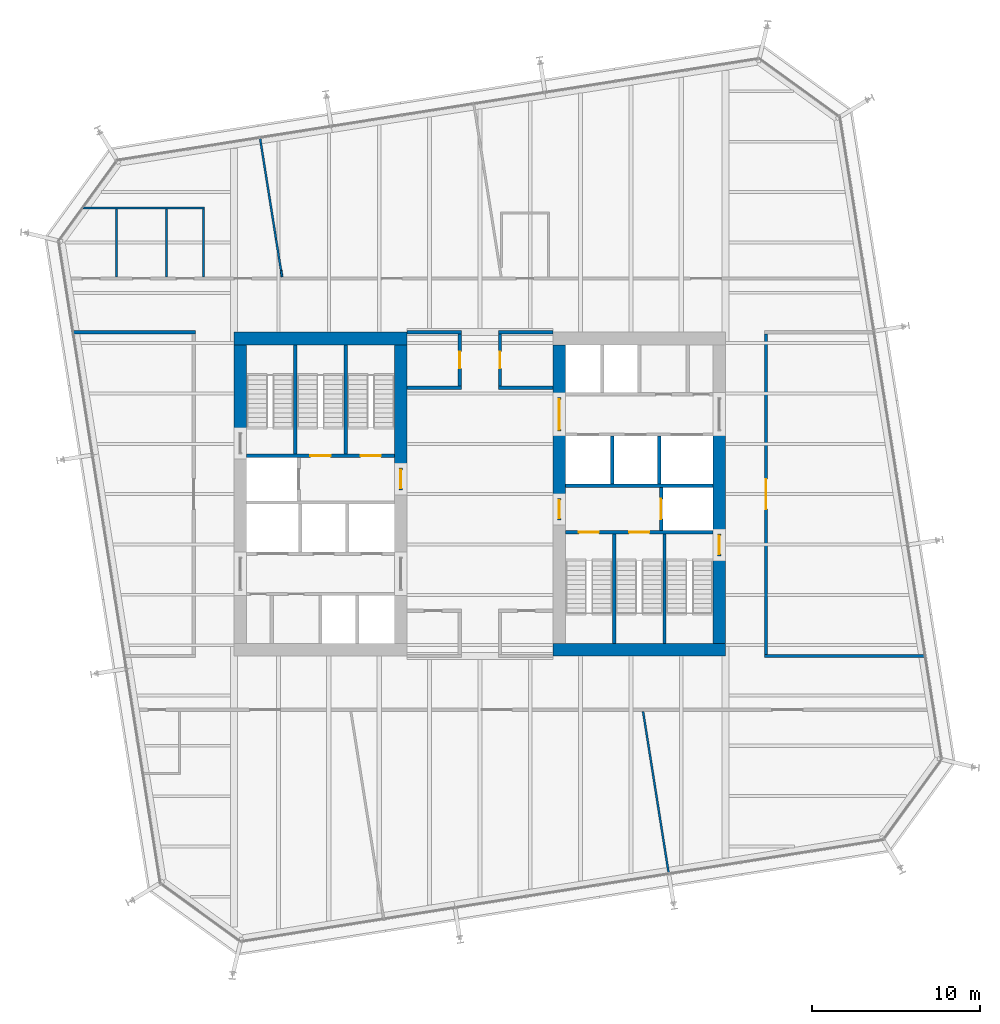
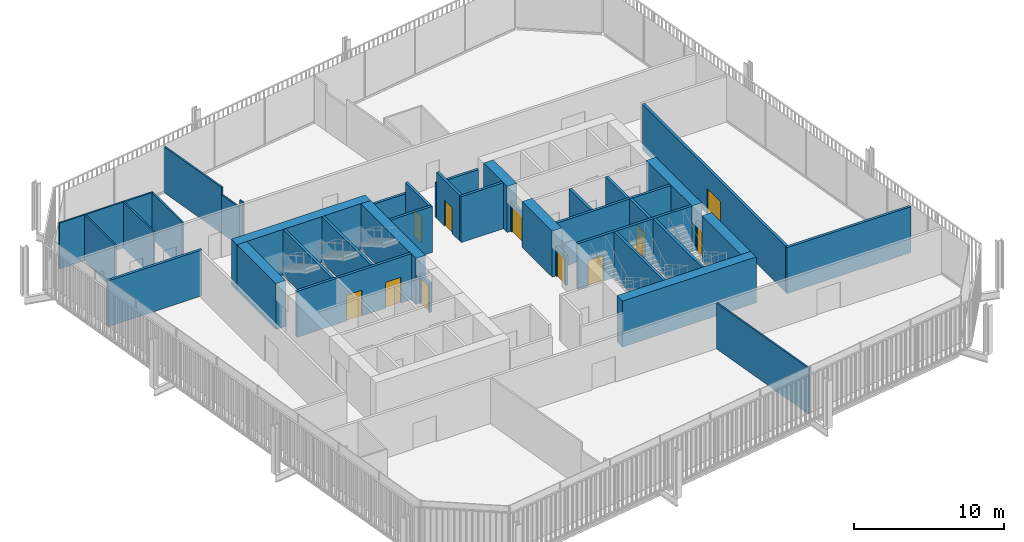
# One storey, part 18 of 21: 39 walls, 12 doors, 12 openings.
"""IFC4 building model written with IfcOpenShell, lengths in metres."""

from ifc_helpers import new_model, si_unit, direction, frame, frame_2d, origin, place, context, subcontext, project, spatial, rectangle, extrude, material, layer, layer_set, type_object, element, fill, save


model = new_model("IFC4")

# Units and contexts
model_context = context("Model", 3, precision=1e-05, world=origin(), true_north=direction((0.0, 1.0)))
body_context = subcontext(model_context, "Body", "Model", "MODEL_VIEW")
ifc_project = project(units=[si_unit("LENGTHUNIT", "METRE"), si_unit("AREAUNIT", "SQUARE_METRE"), si_unit("VOLUMEUNIT", "CUBIC_METRE"), si_unit("PLANEANGLEUNIT", "RADIAN"), si_unit("MASSUNIT", "GRAM", prefix="KILO")], contexts=[model_context])

# Site, building, storey
site_placement = place(None, origin())
site = spatial("IfcSite", under=ifc_project, at=site_placement, CompositionType="ELEMENT")
building_placement = place(site_placement, origin())
building = spatial("IfcBuilding", under=site, at=building_placement, Name="Millrace Tower", CompositionType="ELEMENT")
storey_placement = place(building_placement, frame((0.0, 0.0, 133.39990234375)))
storey = spatial("IfcBuildingStorey", under=building, at=storey_placement, Name="L29", CompositionType="ELEMENT", Elevation=133.39990234375)

# Walls
ifc_material_1 = material(Name="Concrete C70", Category="concrete")
ifc_layer_1 = layer(ifc_material_1, 0.75)
ifc_layer_set_1 = layer_set([ifc_layer_1], Name="Concrete C70")
wall_type_1 = type_object("IfcWallType", Name="Core wall 750 Concrete C70", PredefinedType="SHEAR", material=ifc_layer_set_1)
wall_1_placement = place(storey_placement, frame((-14.64990234375, 9.27490234375, 0.0), z_axis=(0.0, 0.0, 1.0), x_axis=(1.0, 0.0, 0.0)))
element("IfcWall", 1, at=wall_1_placement, inside=storey, type_object=wall_type_1, Name="Core wall W L29", PredefinedType="SHEAR", context=body_context, shape_type="SweptSolid", body=[
    extrude(rectangle(XDim=10.2998046875, YDim=0.75, at=frame_2d((5.14990234375, 0.0))), origin(), (0.0, 0.0, 1.0), 3.739990234375),
])
wall_2_placement = place(storey_placement, frame((-14.27490234375, 3.679931640625, 0.0), z_axis=(0.0, 0.0, 1.0), x_axis=(0.0, 1.0, 0.0)))
element("IfcWall", 2, at=wall_2_placement, inside=storey, type_object=wall_type_1, Name="Core wall W L29", PredefinedType="SHEAR", context=body_context, shape_type="SweptSolid", body=[
    extrude(rectangle(XDim=5.219970703125, YDim=0.75, at=frame_2d((2.60986328125, 0.0))), origin(), (0.0, 0.0, 1.0), 3.739990234375),
])
wall_3_placement = place(storey_placement, frame((-4.72509765625, 1.550048828125, 0.0), z_axis=(0.0, 0.0, 1.0), x_axis=(0.0, 1.0, 0.0)))
element("IfcWall", 3, at=wall_3_placement, inside=storey, type_object=wall_type_1, Name="Core wall W L29", PredefinedType="SHEAR", context=body_context, shape_type="SweptSolid", body=[
    extrude(rectangle(XDim=7.349853515625, YDim=0.75, at=frame_2d((3.6748046875, 0.0))), origin(), (0.0, 0.0, 1.0), 3.739990234375),
])
wall_4_placement = place(storey_placement, frame((14.64990234375, -9.27490234375, 0.0), z_axis=(0.0, 0.0, 1.0), x_axis=(-1.0, 0.0, 0.0)))
element("IfcWall", 4, at=wall_4_placement, inside=storey, type_object=wall_type_1, Name="Core wall E L29", PredefinedType="SHEAR", context=body_context, shape_type="SweptSolid", body=[
    extrude(rectangle(XDim=10.2998046875, YDim=0.75, at=frame_2d((5.14990234375, 0.0))), origin(), (0.0, 0.0, 1.0), 3.739990234375),
])
wall_5_placement = place(storey_placement, frame((14.27490234375, 3.75, 0.0), z_axis=(0.0, 0.0, 1.0), x_axis=(0.0, -1.0, 0.0)))
element("IfcWall", 5, at=wall_5_placement, inside=storey, type_object=wall_type_1, Name="Core wall E L29", PredefinedType="SHEAR", context=body_context, shape_type="SweptSolid", body=[
    extrude(rectangle(XDim=6.1298828125, YDim=0.75, at=frame_2d((3.06494140625, 0.0))), origin(), (0.0, 0.0, 1.0), 3.739990234375),
])
wall_6_placement = place(storey_placement, frame((14.27490234375, -3.679931640625, 0.0), z_axis=(0.0, 0.0, 1.0), x_axis=(0.0, -1.0, 0.0)))
element("IfcWall", 6, at=wall_6_placement, inside=storey, type_object=wall_type_1, Name="Core wall E L29", PredefinedType="SHEAR", context=body_context, shape_type="SweptSolid", body=[
    extrude(rectangle(XDim=5.219970703125, YDim=0.75, at=frame_2d((2.60986328125, 0.0))), origin(), (0.0, 0.0, 1.0), 3.739990234375),
])
wall_7_placement = place(storey_placement, frame((4.72509765625, 8.89990234375, 0.0), z_axis=(0.0, 0.0, 1.0), x_axis=(0.0, -1.0, 0.0)))
element("IfcWall", 7, at=wall_7_placement, inside=storey, type_object=wall_type_1, Name="Core wall E L29", PredefinedType="SHEAR", context=body_context, shape_type="SweptSolid", body=[
    extrude(rectangle(XDim=3.14990234375, YDim=0.75, at=frame_2d((1.574951171875, 0.0))), origin(), (0.0, 0.0, 1.0), 3.739990234375),
])
wall_8_placement = place(storey_placement, frame((4.72509765625, 3.75, 0.0), z_axis=(0.0, 0.0, 1.0), x_axis=(0.0, -1.0, 0.0)))
element("IfcWall", 8, at=wall_8_placement, inside=storey, type_object=wall_type_1, Name="Core wall E L29", PredefinedType="SHEAR", context=body_context, shape_type="SweptSolid", body=[
    extrude(rectangle(XDim=4.0, YDim=0.75, at=frame_2d((2.0, 0.0))), origin(), (0.0, 0.0, 1.0), 3.739990234375),
])
ifc_material_2 = material(Name="Masonry partition, fire-rated", Category="masonry")
ifc_layer_2 = layer(ifc_material_2, 0.199951171875)
ifc_layer_set_2 = layer_set([ifc_layer_2], Name="Masonry partition, fire-rated")
wall_type_2 = type_object("IfcWallType", Name="Corridor wall 200", PredefinedType="PARTITIONING", material=ifc_layer_set_2)
wall_9_placement = place(storey_placement, frame((16.949951171875, -9.64990234375, 0.0), z_axis=(0.0, 0.0, 1.0), x_axis=(1.0, 0.0, 0.0)))
element("IfcWall", 9, at=wall_9_placement, inside=storey, type_object=wall_type_2, Name="Corridor wall L29", PredefinedType="PARTITIONING", context=body_context, shape_type="SweptSolid", body=[
    extrude(rectangle(XDim=9.54638671875, YDim=0.199951171875, at=frame_2d((4.773193359375, 0.0))), origin(), (0.0, 0.0, 1.0), 3.739990234375),
])
for number, where, z_axis, x_axis, name in (
    (10, (-4.35009765625, 6.35009765625, 0.0), (0.0, 0.0, 1.0), (1.0, 0.0, 0.0), "Corridor wall L29"),
    (11, (1.10009765625, 6.35009765625, 0.0), (0.0, 0.0, 1.0), (1.0, 0.0, 0.0), "Corridor wall L29"),
):
    element("IfcWall", number, at=place(storey_placement, frame(where, z_axis=z_axis, x_axis=x_axis)), inside=storey, type_object=wall_type_2, Name=name, PredefinedType="PARTITIONING", context=body_context, shape_type="SweptSolid", body=[
        extrude(rectangle(XDim=3.25, YDim=0.199951171875, at=frame_2d((1.625, 0.0))), origin(), (0.0, 0.0, 1.0), 3.739990234375),
    ])
wall_10_placement = place(storey_placement, frame((-24.20703125, 9.64990234375, 0.0), z_axis=(0.0, 0.0, 1.0), x_axis=(1.0, 0.0, 0.0)))
element("IfcWall", 12, at=wall_10_placement, inside=storey, type_object=wall_type_2, Name="Corridor wall L29", PredefinedType="PARTITIONING", context=body_context, shape_type="SweptSolid", body=[
    extrude(rectangle(XDim=7.257080078125, YDim=0.199951171875, at=frame_2d((3.62841796875, 0.0))), origin(), (0.0, 0.0, 1.0), 3.739990234375),
])
for number, where, z_axis, x_axis, name in (
    (13, (-4.35009765625, 9.64990234375, 0.0), (0.0, 0.0, 1.0), (1.0, 0.0, 0.0), "Corridor wall L29"),
    (14, (1.10009765625, 9.64990234375, 0.0), (0.0, 0.0, 1.0), (1.0, 0.0, 0.0), "Corridor wall L29"),
):
    element("IfcWall", number, at=place(storey_placement, frame(where, z_axis=z_axis, x_axis=x_axis)), inside=storey, type_object=wall_type_2, Name=name, PredefinedType="PARTITIONING", context=body_context, shape_type="SweptSolid", body=[
        extrude(rectangle(XDim=3.25, YDim=0.199951171875, at=frame_2d((1.625, 0.0))), origin(), (0.0, 0.0, 1.0), 2.81298828125),
    ])

# Wall, opening, door
wall_11_placement = place(storey_placement, frame((17.050048828125, -9.550048828125, 0.0), z_axis=(0.0, 0.0, 1.0), x_axis=(0.0, 1.0, 0.0)))
wall_11 = element("IfcWall", 15, at=wall_11_placement, inside=storey, type_object=wall_type_2, Name="Corridor wall L29", PredefinedType="PARTITIONING", context=body_context, shape_type="SweptSolid", body=[
    extrude(rectangle(XDim=19.10009765625, YDim=0.199951171875, at=frame_2d((9.550048828125, 0.0))), origin(), (0.0, 0.0, 1.0), 3.739990234375),
])
opening_1_placement = place(wall_11_placement, frame((8.64990234375, 0.0, 0.0)))
opening_1 = element("IfcOpeningElement", 16, at=opening_1_placement, cuts=wall_11, Name="Opening 29-P012", PredefinedType="OPENING", context=body_context, shape_type="SweptSolid", body=[
    extrude(rectangle(XDim=1.800048828125, YDim=2.10009765625, at=frame_2d((0.89990234375, 1.050048828125))), frame((0.0, 0.10986328125, 0.0), z_axis=(0.0, -1.0, 0.0), x_axis=(1.0, 0.0, 0.0)), (0.0, 0.0, 1.0), 0.219970703125),
])
ifc_material_3 = material(Name="Steel door set, fire-rated", Category="steel")
door_type_1 = type_object("IfcDoorType", Name="Corridor door 1800 x 2100", OperationType="DOUBLE_DOOR_SINGLE_SWING", PredefinedType="DOOR", material=ifc_material_3)
door_1_placement = place(opening_1_placement, origin())
door_1 = element("IfcDoor", 17, at=door_1_placement, inside=storey, type_object=door_type_1, Name="Door 29-P012", OperationType="DOUBLE_DOOR_SINGLE_SWING", OverallHeight=2.10009765625, OverallWidth=1.800048828125, PredefinedType="DOOR", context=body_context, shape_type="SweptSolid", body=[
    extrude(rectangle(XDim=1.800048828125, YDim=2.10009765625, at=frame_2d((0.89990234375, 1.050048828125))), frame((0.0, 0.02490234375, 0.0), z_axis=(0.0, -1.0, 0.0), x_axis=(1.0, 0.0, 0.0)), (0.0, 0.0, 1.0), 0.050048828125),
])
fill(opening_1, door_1)

wall_12_placement = place(storey_placement, frame((1.199951171875, 6.449951171875, 0.0), z_axis=(0.0, 0.0, 1.0), x_axis=(0.0, 1.0, 0.0)))
wall_12 = element("IfcWall", 18, at=wall_12_placement, inside=storey, type_object=wall_type_2, Name="Corridor wall L29", PredefinedType="PARTITIONING", context=body_context, shape_type="SweptSolid", body=[
    extrude(rectangle(XDim=3.10009765625, YDim=0.199951171875, at=frame_2d((1.550048828125, 0.0))), origin(), (0.0, 0.0, 1.0), 3.739990234375),
])
opening_2_placement = place(wall_12_placement, frame((1.050048828125, 0.0, 0.0)))
opening_2 = element("IfcOpeningElement", 19, at=opening_2_placement, cuts=wall_12, Name="Opening 29-P002", PredefinedType="OPENING", context=body_context, shape_type="SweptSolid", body=[
    extrude(rectangle(XDim=1.0, YDim=2.10009765625, at=frame_2d((0.5, 1.050048828125))), frame((0.0, 0.10986328125, 0.0), z_axis=(0.0, -1.0, 0.0), x_axis=(1.0, 0.0, 0.0)), (0.0, 0.0, 1.0), 0.219970703125),
])
ifc_material_4 = material(Name="Steel door set, fire-rated", Category="steel")
door_type_2 = type_object("IfcDoorType", Name="Corridor door 1000 x 2100", OperationType="SINGLE_SWING_LEFT", PredefinedType="DOOR", material=ifc_material_4)
door_2_placement = place(opening_2_placement, frame((1.0, 0.0, 0.0), z_axis=(0.0, 0.0, 1.0), x_axis=(-1.0, 0.0, 0.0)))
door_2 = element("IfcDoor", 20, at=door_2_placement, inside=storey, type_object=door_type_2, Name="Door 29-P002", OperationType="SINGLE_SWING_RIGHT", OverallHeight=2.10009765625, OverallWidth=1.0, PredefinedType="DOOR", context=body_context, shape_type="SweptSolid", body=[
    extrude(rectangle(XDim=1.0, YDim=2.10009765625, at=frame_2d((0.5, 1.050048828125))), frame((0.0, 0.02490234375, 0.0), z_axis=(0.0, -1.0, 0.0), x_axis=(1.0, 0.0, 0.0)), (0.0, 0.0, 1.0), 0.050048828125),
])
fill(opening_2, door_2)

wall_13_placement = place(storey_placement, frame((-1.199951171875, 6.449951171875, 0.0), z_axis=(0.0, 0.0, 1.0), x_axis=(0.0, 1.0, 0.0)))
wall_13 = element("IfcWall", 21, at=wall_13_placement, inside=storey, type_object=wall_type_2, Name="Corridor wall L29", PredefinedType="PARTITIONING", context=body_context, shape_type="SweptSolid", body=[
    extrude(rectangle(XDim=3.10009765625, YDim=0.199951171875, at=frame_2d((1.550048828125, 0.0))), origin(), (0.0, 0.0, 1.0), 3.739990234375),
])
opening_3_placement = place(wall_13_placement, frame((1.050048828125, 0.0, 0.0)))
opening_3 = element("IfcOpeningElement", 22, at=opening_3_placement, cuts=wall_13, Name="Opening 29-P001", PredefinedType="OPENING", context=body_context, shape_type="SweptSolid", body=[
    extrude(rectangle(XDim=1.0, YDim=2.10009765625, at=frame_2d((0.5, 1.050048828125))), frame((0.0, 0.10986328125, 0.0), z_axis=(0.0, -1.0, 0.0), x_axis=(1.0, 0.0, 0.0)), (0.0, 0.0, 1.0), 0.219970703125),
])
door_3_placement = place(opening_3_placement, origin())
door_3 = element("IfcDoor", 23, at=door_3_placement, inside=storey, type_object=door_type_2, Name="Door 29-P001", OperationType="SINGLE_SWING_LEFT", OverallHeight=2.10009765625, OverallWidth=1.0, PredefinedType="DOOR", context=body_context, shape_type="SweptSolid", body=[
    extrude(rectangle(XDim=1.0, YDim=2.10009765625, at=frame_2d((0.5, 1.050048828125))), frame((0.0, 0.02490234375, 0.0), z_axis=(0.0, -1.0, 0.0), x_axis=(1.0, 0.0, 0.0)), (0.0, 0.0, 1.0), 0.050048828125),
])
fill(opening_3, door_3)

# Wall
ifc_material_5 = material(Name="Masonry partition, fire-rated", Category="masonry")
ifc_layer_3 = layer(ifc_material_5, 0.199951171875)
ifc_layer_set_3 = layer_set([ifc_layer_3], Name="Masonry partition, fire-rated")
wall_type_3 = type_object("IfcWallType", Name="Lift shaft wall 200", PredefinedType="PARTITIONING", material=ifc_layer_set_3)
wall_14_placement = place(storey_placement, frame((13.89990234375, 0.5, 0.0), z_axis=(0.0, 0.0, 1.0), x_axis=(-1.0, 0.0, 0.0)))
element("IfcWall", 24, at=wall_14_placement, inside=storey, type_object=wall_type_3, Name="Lift shaft wall E L29", PredefinedType="PARTITIONING", context=body_context, shape_type="SweptSolid", body=[
    extrude(rectangle(XDim=8.7998046875, YDim=0.199951171875, at=frame_2d((4.39990234375, 0.0))), origin(), (0.0, 0.0, 1.0), 3.739990234375),
])

# Wall, opening, door
wall_15_placement = place(storey_placement, frame((10.800048828125, 0.39990234375, 0.0), z_axis=(0.0, 0.0, 1.0), x_axis=(0.0, -1.0, 0.0)))
wall_15 = element("IfcWall", 25, at=wall_15_placement, inside=storey, type_object=wall_type_3, Name="Lift shaft wall E L29", PredefinedType="PARTITIONING", context=body_context, shape_type="SweptSolid", body=[
    extrude(rectangle(XDim=2.579833984375, YDim=0.199951171875, at=frame_2d((1.2900390625, 0.0))), origin(), (0.0, 0.0, 1.0), 3.739990234375),
])
opening_4_placement = place(wall_15_placement, frame((0.68994140625, 0.0, 0.0)))
opening_4 = element("IfcOpeningElement", 26, at=opening_4_placement, cuts=wall_15, Name="Opening 29-LD16", PredefinedType="OPENING", context=body_context, shape_type="SweptSolid", body=[
    extrude(rectangle(XDim=1.199951171875, YDim=2.10009765625, at=frame_2d((0.60009765625, 1.050048828125))), frame((0.0, 0.10986328125, 0.0), z_axis=(0.0, -1.0, 0.0), x_axis=(1.0, 0.0, 0.0)), (0.0, 0.0, 1.0), 0.219970703125),
])
ifc_material_6 = material(Name="Stainless steel, fire-rated", Category="steel")
door_type_3 = type_object("IfcDoorType", Name="Lift landing door 1200 x 2100", OperationType="DOUBLE_DOOR_SLIDING", PredefinedType="DOOR", material=ifc_material_6)
door_4_placement = place(opening_4_placement, origin())
door_4 = element("IfcDoor", 27, at=door_4_placement, inside=storey, type_object=door_type_3, Name="Lift landing door LF16 L29", OperationType="DOUBLE_DOOR_SLIDING", OverallHeight=2.10009765625, OverallWidth=1.199951171875, PredefinedType="DOOR", context=body_context, shape_type="SweptSolid", body=[
    extrude(rectangle(XDim=1.199951171875, YDim=2.10009765625, at=frame_2d((0.60009765625, 1.050048828125))), frame((0.0, 0.02490234375, 0.0), z_axis=(0.0, -1.0, 0.0), x_axis=(1.0, 0.0, 0.0)), (0.0, 0.0, 1.0), 0.050048828125),
])
fill(opening_4, door_4)

# Walls
for number, where, z_axis, x_axis, name in (
    (28, (10.699951171875, 3.449951171875, 0.0), (0.0, 0.0, 1.0), (0.0, -1.0, 0.0), "Lift shaft wall E L29"),
    (29, (7.89990234375, 3.449951171875, 0.0), (0.0, 0.0, 1.0), (0.0, -1.0, 0.0), "Lift shaft wall E L29"),
):
    element("IfcWall", number, at=place(storey_placement, frame(where, z_axis=z_axis, x_axis=x_axis)), inside=storey, type_object=wall_type_3, Name=name, PredefinedType="PARTITIONING", context=body_context, shape_type="SweptSolid", body=[
        extrude(rectangle(XDim=2.849853515625, YDim=0.199951171875, at=frame_2d((1.4248046875, 0.0))), origin(), (0.0, 0.0, 1.0), 3.739990234375),
    ])

# Wall, opening, door
ifc_material_7 = material(Name="Masonry partition, fire-rated", Category="masonry")
ifc_layer_4 = layer(ifc_material_7, 0.199951171875)
ifc_layer_set_4 = layer_set([ifc_layer_4], Name="Masonry partition, fire-rated")
wall_type_4 = type_object("IfcWallType", Name="Lobby wall 200", PredefinedType="PARTITIONING", material=ifc_layer_set_4)
wall_16_placement = place(storey_placement, frame((-4.72509765625, 0.25, 0.0), z_axis=(0.0, 0.0, 1.0), x_axis=(0.0, 1.0, 0.0)))
wall_16 = element("IfcWall", 30, at=wall_16_placement, inside=storey, type_object=wall_type_4, Name="Lobby wall W L29", PredefinedType="PARTITIONING", context=body_context, shape_type="SweptSolid", body=[
    extrude(rectangle(XDim=1.300048828125, YDim=0.199951171875, at=frame_2d((0.64990234375, 0.0))), origin(), (0.0, 0.0, 1.0), 2.400146484375),
])
opening_5_placement = place(wall_16_placement, frame((0.10009765625, 0.0, 0.0)))
opening_5 = element("IfcOpeningElement", 31, at=opening_5_placement, cuts=wall_16, Name="Opening 29-C004", PredefinedType="OPENING", context=body_context, shape_type="SweptSolid", body=[
    extrude(rectangle(XDim=1.10009765625, YDim=2.10009765625, at=frame_2d((0.550048828125, 1.050048828125))), frame((0.0, 0.10986328125, 0.0), z_axis=(0.0, -1.0, 0.0), x_axis=(1.0, 0.0, 0.0)), (0.0, 0.0, 1.0), 0.219970703125),
])
ifc_material_8 = material(Name="Steel door, fire-rated", Category="steel")
door_type_4 = type_object("IfcDoorType", Name="Lobby door 1100 x 2100", OperationType="SINGLE_SWING_LEFT", PredefinedType="DOOR", material=ifc_material_8)
door_5_placement = place(opening_5_placement, origin())
door_5 = element("IfcDoor", 32, at=door_5_placement, inside=storey, type_object=door_type_4, Name="Lobby door 29-C004", OperationType="SINGLE_SWING_RIGHT", OverallHeight=2.10009765625, OverallWidth=1.10009765625, PredefinedType="DOOR", context=body_context, shape_type="SweptSolid", body=[
    extrude(rectangle(XDim=1.10009765625, YDim=2.10009765625, at=frame_2d((0.550048828125, 1.050048828125))), frame((0.0, 0.02490234375, 0.0), z_axis=(0.0, -1.0, 0.0), x_axis=(1.0, 0.0, 0.0)), (0.0, 0.0, 1.0), 0.050048828125),
])
fill(opening_5, door_5)

wall_17_placement = place(storey_placement, frame((4.72509765625, 5.75, 0.0), z_axis=(0.0, 0.0, 1.0), x_axis=(0.0, -1.0, 0.0)))
wall_17 = element("IfcWall", 33, at=wall_17_placement, inside=storey, type_object=wall_type_4, Name="Lobby wall E L29", PredefinedType="PARTITIONING", context=body_context, shape_type="SweptSolid", body=[
    extrude(rectangle(XDim=2.0, YDim=0.199951171875, at=frame_2d((1.0, 0.0))), origin(), (0.0, 0.0, 1.0), 2.400146484375),
])
opening_6_placement = place(wall_17_placement, frame((0.10009765625, 0.0, 0.0)))
opening_6 = element("IfcOpeningElement", 34, at=opening_6_placement, cuts=wall_17, Name="Opening 29-C011", PredefinedType="OPENING", context=body_context, shape_type="SweptSolid", body=[
    extrude(rectangle(XDim=1.800048828125, YDim=2.10009765625, at=frame_2d((0.89990234375, 1.050048828125))), frame((0.0, 0.10986328125, 0.0), z_axis=(0.0, -1.0, 0.0), x_axis=(1.0, 0.0, 0.0)), (0.0, 0.0, 1.0), 0.219970703125),
])
ifc_material_9 = material(Name="Steel door, fire-rated", Category="steel")
door_type_5 = type_object("IfcDoorType", Name="Lobby door 1800 x 2100", OperationType="DOUBLE_DOOR_SINGLE_SWING", PredefinedType="DOOR", material=ifc_material_9)
door_6_placement = place(opening_6_placement, origin())
door_6 = element("IfcDoor", 35, at=door_6_placement, inside=storey, type_object=door_type_5, Name="Lobby door 29-C011", OperationType="DOUBLE_DOOR_SINGLE_SWING", OverallHeight=2.10009765625, OverallWidth=1.800048828125, PredefinedType="DOOR", context=body_context, shape_type="SweptSolid", body=[
    extrude(rectangle(XDim=1.800048828125, YDim=2.10009765625, at=frame_2d((0.89990234375, 1.050048828125))), frame((0.0, 0.02490234375, 0.0), z_axis=(0.0, -1.0, 0.0), x_axis=(1.0, 0.0, 0.0)), (0.0, 0.0, 1.0), 0.050048828125),
])
fill(opening_6, door_6)

wall_18_placement = place(storey_placement, frame((4.72509765625, -0.25, 0.0), z_axis=(0.0, 0.0, 1.0), x_axis=(0.0, -1.0, 0.0)))
wall_18 = element("IfcWall", 36, at=wall_18_placement, inside=storey, type_object=wall_type_4, Name="Lobby wall E L29", PredefinedType="PARTITIONING", context=body_context, shape_type="SweptSolid", body=[
    extrude(rectangle(XDim=1.300048828125, YDim=0.199951171875, at=frame_2d((0.64990234375, 0.0))), origin(), (0.0, 0.0, 1.0), 2.400146484375),
])
opening_7_placement = place(wall_18_placement, frame((0.10009765625, 0.0, 0.0)))
opening_7 = element("IfcOpeningElement", 37, at=opening_7_placement, cuts=wall_18, Name="Opening 29-C012", PredefinedType="OPENING", context=body_context, shape_type="SweptSolid", body=[
    extrude(rectangle(XDim=1.10009765625, YDim=2.10009765625, at=frame_2d((0.550048828125, 1.050048828125))), frame((0.0, 0.10986328125, 0.0), z_axis=(0.0, -1.0, 0.0), x_axis=(1.0, 0.0, 0.0)), (0.0, 0.0, 1.0), 0.219970703125),
])
door_7_placement = place(opening_7_placement, origin())
door_7 = element("IfcDoor", 38, at=door_7_placement, inside=storey, type_object=door_type_4, Name="Lobby door 29-C012", OperationType="SINGLE_SWING_LEFT", OverallHeight=2.10009765625, OverallWidth=1.10009765625, PredefinedType="DOOR", context=body_context, shape_type="SweptSolid", body=[
    extrude(rectangle(XDim=1.10009765625, YDim=2.10009765625, at=frame_2d((0.550048828125, 1.050048828125))), frame((0.0, 0.02490234375, 0.0), z_axis=(0.0, -1.0, 0.0), x_axis=(1.0, 0.0, 0.0)), (0.0, 0.0, 1.0), 0.050048828125),
])
fill(opening_7, door_7)

# Walls
ifc_material_10 = material(Name="Gypsum board partition")
ifc_layer_5 = layer(ifc_material_10, 0.1201171875)
ifc_layer_set_5 = layer_set([ifc_layer_5], Name="Gypsum board partition")
wall_type_5 = type_object("IfcWallType", Name="Partition wall 120", PredefinedType="PARTITIONING", material=ifc_layer_set_5)
wall_19_placement = place(storey_placement, frame((-13.098876953125, 21.20849609375, 0.0), z_axis=(0.0, 0.0, 1.0), x_axis=(0.156435215838, -0.98768822168, 0.0)))
element("IfcWall", 39, at=wall_19_placement, inside=storey, type_object=wall_type_5, Name="Partition wall L29", PredefinedType="PARTITIONING", context=body_context, shape_type="SweptSolid", body=[
    extrude(rectangle(XDim=6.073974609375, YDim=0.1201171875, at=frame_2d((3.037109375, 0.0))), origin(), (0.0, 0.0, 1.0), 3.739990234375),
])
wall_20_placement = place(storey_placement, frame((-12.148681640625, 15.209228515625, 0.0), z_axis=(0.0, 0.0, 1.0), x_axis=(0.15645727636, -0.987684727367, 0.0)))
element("IfcWall", 40, at=wall_20_placement, inside=storey, type_object=wall_type_5, Name="Partition wall L29", PredefinedType="PARTITIONING", context=body_context, shape_type="SweptSolid", body=[
    extrude(rectangle(XDim=1.900634765625, YDim=0.1201171875, at=frame_2d((0.9501953125, 0.0))), origin(), (0.0, 0.0, 1.0), 3.13818359375),
])
wall_21_placement = place(storey_placement, frame((-11.851318359375, 13.33203125, 0.0), z_axis=(0.0, 0.0, 1.0), x_axis=(0.156640922974, -0.987655618751, 0.0)))
element("IfcWall", 41, at=wall_21_placement, inside=storey, type_object=wall_type_5, Name="Partition wall L29", PredefinedType="PARTITIONING", context=body_context, shape_type="SweptSolid", body=[
    extrude(rectangle(XDim=0.38818359375, YDim=0.1201171875, at=frame_2d((0.194091796875, 0.0))), origin(), (0.0, 0.0, 1.0), 3.739990234375),
])
wall_22_placement = place(storey_placement, frame((9.7255859375, -12.94873046875, 0.0), z_axis=(0.0, 0.0, 1.0), x_axis=(0.156481887186, -0.987680828498, 0.0)))
element("IfcWall", 42, at=wall_22_placement, inside=storey, type_object=wall_type_5, Name="Partition wall L29", PredefinedType="PARTITIONING", context=body_context, shape_type="SweptSolid", body=[
    extrude(rectangle(XDim=9.752685546875, YDim=0.1201171875, at=frame_2d((4.87646484375, 0.0))), origin(), (0.0, 0.0, 1.0), 3.739990234375),
])
wall_23_placement = place(storey_placement, frame((-23.6474609375, 17.050048828125, 0.0), z_axis=(0.0, 0.0, 1.0), x_axis=(1.0, 0.0, 0.0)))
element("IfcWall", 43, at=wall_23_placement, inside=storey, type_object=wall_type_5, Name="Partition wall L29", PredefinedType="PARTITIONING", context=body_context, shape_type="SweptSolid", body=[
    extrude(rectangle(XDim=7.244384765625, YDim=0.1201171875, at=frame_2d((3.6220703125, 0.0))), origin(), (0.0, 0.0, 1.0), 3.739990234375),
])
for number, where, z_axis, x_axis, name in (
    (44, (-16.462890625, 12.949951171875, 0.0), (0.0, 0.0, 1.0), (0.0, 1.0, 0.0), "Partition wall L29"),
    (45, (-18.6630859375, 12.949951171875, 0.0), (0.0, 0.0, 1.0), (0.0, 1.0, 0.0), "Partition wall L29"),
    (46, (-21.6630859375, 12.949951171875, 0.0), (0.0, 0.0, 1.0), (0.0, 1.0, 0.0), "Partition wall L29"),
):
    element("IfcWall", number, at=place(storey_placement, frame(where, z_axis=z_axis, x_axis=x_axis)), inside=storey, type_object=wall_type_5, Name=name, PredefinedType="PARTITIONING", context=body_context, shape_type="SweptSolid", body=[
        extrude(rectangle(XDim=4.0400390625, YDim=0.1201171875, at=frame_2d((2.02001953125, 0.0))), origin(), (0.0, 0.0, 1.0), 3.739990234375),
    ])

# Wall, openings, doors
ifc_material_11 = material(Name="Concrete C40", Category="concrete")
ifc_layer_6 = layer(ifc_material_11, 0.199951171875)
ifc_layer_set_6 = layer_set([ifc_layer_6], Name="Concrete C40")
wall_type_6 = type_object("IfcWallType", Name="Stair enclosure wall 200 Concrete C40", PredefinedType="SHEAR", material=ifc_layer_set_6)
wall_24_placement = place(storey_placement, frame((-13.89990234375, 2.280029296875, 0.0), z_axis=(0.0, 0.0, 1.0), x_axis=(1.0, 0.0, 0.0)))
wall_24 = element("IfcWall", 47, at=wall_24_placement, inside=storey, type_object=wall_type_6, Name="Stair enclosure wall W L29", PredefinedType="SHEAR", context=body_context, shape_type="SweptSolid", body=[
    extrude(rectangle(XDim=8.7998046875, YDim=0.199951171875, at=frame_2d((4.39990234375, 0.0))), origin(), (0.0, 0.0, 1.0), 3.739990234375),
])
opening_8_placement = place(wall_24_placement, frame((3.800048828125, 0.0, 0.0)))
opening_8 = element("IfcOpeningElement", 48, at=opening_8_placement, cuts=wall_24, Name="Opening 29-C007", PredefinedType="OPENING", context=body_context, shape_type="SweptSolid", body=[
    extrude(rectangle(XDim=1.199951171875, YDim=2.10009765625, at=frame_2d((0.60009765625, 1.050048828125))), frame((0.0, 0.10986328125, 0.0), z_axis=(0.0, -1.0, 0.0), x_axis=(1.0, 0.0, 0.0)), (0.0, 0.0, 1.0), 0.219970703125),
])
opening_9_placement = place(wall_24_placement, frame((6.800048828125, 0.0, 0.0)))
opening_9 = element("IfcOpeningElement", 49, at=opening_9_placement, cuts=wall_24, Name="Opening 29-C008", PredefinedType="OPENING", context=body_context, shape_type="SweptSolid", body=[
    extrude(rectangle(XDim=1.199951171875, YDim=2.10009765625, at=frame_2d((0.60009765625, 1.050048828125))), frame((0.0, 0.10986328125, 0.0), z_axis=(0.0, -1.0, 0.0), x_axis=(1.0, 0.0, 0.0)), (0.0, 0.0, 1.0), 0.219970703125),
])
ifc_material_12 = material(Name="Steel door, fire-rated", Category="steel")
door_type_6 = type_object("IfcDoorType", Name="Stair door 1200 x 2100", OperationType="SINGLE_SWING_LEFT", PredefinedType="DOOR", material=ifc_material_12)
door_8_placement = place(opening_8_placement, frame((1.199951171875, 0.0, 0.0), z_axis=(0.0, 0.0, 1.0), x_axis=(-1.0, 0.0, 0.0)))
door_8 = element("IfcDoor", 50, at=door_8_placement, inside=storey, type_object=door_type_6, Name="Stair door 29-C007", OperationType="SINGLE_SWING_RIGHT", OverallHeight=2.10009765625, OverallWidth=1.199951171875, PredefinedType="DOOR", context=body_context, shape_type="SweptSolid", body=[
    extrude(rectangle(XDim=1.199951171875, YDim=2.10009765625, at=frame_2d((0.60009765625, 1.050048828125))), frame((0.0, 0.02490234375, 0.0), z_axis=(0.0, -1.0, 0.0), x_axis=(1.0, 0.0, 0.0)), (0.0, 0.0, 1.0), 0.050048828125),
])
fill(opening_8, door_8)
door_9_placement = place(opening_9_placement, frame((1.199951171875, 0.0, 0.0), z_axis=(0.0, 0.0, 1.0), x_axis=(-1.0, 0.0, 0.0)))
door_9 = element("IfcDoor", 51, at=door_9_placement, inside=storey, type_object=door_type_6, Name="Stair door 29-C008", OperationType="SINGLE_SWING_LEFT", OverallHeight=2.10009765625, OverallWidth=1.199951171875, PredefinedType="DOOR", context=body_context, shape_type="SweptSolid", body=[
    extrude(rectangle(XDim=1.199951171875, YDim=2.10009765625, at=frame_2d((0.60009765625, 1.050048828125))), frame((0.0, 0.02490234375, 0.0), z_axis=(0.0, -1.0, 0.0), x_axis=(1.0, 0.0, 0.0)), (0.0, 0.0, 1.0), 0.050048828125),
])
fill(opening_9, door_9)

# Walls
for number, where, z_axis, x_axis, name in (
    (52, (-11.0, 2.3798828125, 0.0), (0.0, 0.0, 1.0), (0.0, 1.0, 0.0), "Stair enclosure wall W L29"),
    (53, (-8.0, 2.3798828125, 0.0), (0.0, 0.0, 1.0), (0.0, 1.0, 0.0), "Stair enclosure wall W L29"),
):
    element("IfcWall", number, at=place(storey_placement, frame(where, z_axis=z_axis, x_axis=x_axis)), inside=storey, type_object=wall_type_6, Name=name, PredefinedType="SHEAR", context=body_context, shape_type="SweptSolid", body=[
        extrude(rectangle(XDim=6.52001953125, YDim=0.199951171875, at=frame_2d((3.260009765625, 0.0))), origin(), (0.0, 0.0, 1.0), 3.739990234375),
    ])

# Wall, opening, door
wall_25_placement = place(storey_placement, frame((14.27490234375, -2.3798828125, 0.0), z_axis=(0.0, 0.0, 1.0), x_axis=(0.0, -1.0, 0.0)))
wall_25 = element("IfcWall", 54, at=wall_25_placement, inside=storey, type_object=wall_type_6, Name="Stair enclosure wall E L29", PredefinedType="SHEAR", context=body_context, shape_type="SweptSolid", body=[
    extrude(rectangle(XDim=1.300048828125, YDim=0.199951171875, at=frame_2d((0.64990234375, 0.0))), origin(), (0.0, 0.0, 1.0), 2.400146484375),
])
opening_10_placement = place(wall_25_placement, frame((0.10009765625, 0.0, 0.0)))
opening_10 = element("IfcOpeningElement", 55, at=opening_10_placement, cuts=wall_25, Name="Opening 29-C010", PredefinedType="OPENING", context=body_context, shape_type="SweptSolid", body=[
    extrude(rectangle(XDim=1.10009765625, YDim=2.10009765625, at=frame_2d((0.550048828125, 1.050048828125))), frame((0.0, 0.10986328125, 0.0), z_axis=(0.0, -1.0, 0.0), x_axis=(1.0, 0.0, 0.0)), (0.0, 0.0, 1.0), 0.219970703125),
])
ifc_material_13 = material(Name="Steel door, fire-rated", Category="steel")
door_type_7 = type_object("IfcDoorType", Name="Stair door 1100 x 2100", OperationType="SINGLE_SWING_LEFT", PredefinedType="DOOR", material=ifc_material_13)
door_10_placement = place(opening_10_placement, origin())
door_10 = element("IfcDoor", 56, at=door_10_placement, inside=storey, type_object=door_type_7, Name="Stair door 29-C010", OperationType="SINGLE_SWING_LEFT", OverallHeight=2.10009765625, OverallWidth=1.10009765625, PredefinedType="DOOR", context=body_context, shape_type="SweptSolid", body=[
    extrude(rectangle(XDim=1.10009765625, YDim=2.10009765625, at=frame_2d((0.550048828125, 1.050048828125))), frame((0.0, 0.02490234375, 0.0), z_axis=(0.0, -1.0, 0.0), x_axis=(1.0, 0.0, 0.0)), (0.0, 0.0, 1.0), 0.050048828125),
])
fill(opening_10, door_10)

# Wall, openings, doors
wall_26_placement = place(storey_placement, frame((13.89990234375, -2.280029296875, 0.0), z_axis=(0.0, 0.0, 1.0), x_axis=(-1.0, 0.0, 0.0)))
wall_26 = element("IfcWall", 57, at=wall_26_placement, inside=storey, type_object=wall_type_6, Name="Stair enclosure wall E L29", PredefinedType="SHEAR", context=body_context, shape_type="SweptSolid", body=[
    extrude(rectangle(XDim=8.7998046875, YDim=0.199951171875, at=frame_2d((4.39990234375, 0.0))), origin(), (0.0, 0.0, 1.0), 3.739990234375),
])
opening_11_placement = place(wall_26_placement, frame((3.800048828125, 0.0, 0.0)))
opening_11 = element("IfcOpeningElement", 58, at=opening_11_placement, cuts=wall_26, Name="Opening 29-C015", PredefinedType="OPENING", context=body_context, shape_type="SweptSolid", body=[
    extrude(rectangle(XDim=1.199951171875, YDim=2.10009765625, at=frame_2d((0.60009765625, 1.050048828125))), frame((0.0, 0.10986328125, 0.0), z_axis=(0.0, -1.0, 0.0), x_axis=(1.0, 0.0, 0.0)), (0.0, 0.0, 1.0), 0.219970703125),
])
opening_12_placement = place(wall_26_placement, frame((6.800048828125, 0.0, 0.0)))
opening_12 = element("IfcOpeningElement", 59, at=opening_12_placement, cuts=wall_26, Name="Opening 29-C016", PredefinedType="OPENING", context=body_context, shape_type="SweptSolid", body=[
    extrude(rectangle(XDim=1.199951171875, YDim=2.10009765625, at=frame_2d((0.60009765625, 1.050048828125))), frame((0.0, 0.10986328125, 0.0), z_axis=(0.0, -1.0, 0.0), x_axis=(1.0, 0.0, 0.0)), (0.0, 0.0, 1.0), 0.219970703125),
])
door_11_placement = place(opening_11_placement, frame((1.199951171875, 0.0, 0.0), z_axis=(0.0, 0.0, 1.0), x_axis=(-1.0, 0.0, 0.0)))
door_11 = element("IfcDoor", 60, at=door_11_placement, inside=storey, type_object=door_type_6, Name="Stair door 29-C015", OperationType="SINGLE_SWING_RIGHT", OverallHeight=2.10009765625, OverallWidth=1.199951171875, PredefinedType="DOOR", context=body_context, shape_type="SweptSolid", body=[
    extrude(rectangle(XDim=1.199951171875, YDim=2.10009765625, at=frame_2d((0.60009765625, 1.050048828125))), frame((0.0, 0.02490234375, 0.0), z_axis=(0.0, -1.0, 0.0), x_axis=(1.0, 0.0, 0.0)), (0.0, 0.0, 1.0), 0.050048828125),
])
fill(opening_11, door_11)
door_12_placement = place(opening_12_placement, frame((1.199951171875, 0.0, 0.0), z_axis=(0.0, 0.0, 1.0), x_axis=(-1.0, 0.0, 0.0)))
door_12 = element("IfcDoor", 61, at=door_12_placement, inside=storey, type_object=door_type_6, Name="Stair door 29-C016", OperationType="SINGLE_SWING_LEFT", OverallHeight=2.10009765625, OverallWidth=1.199951171875, PredefinedType="DOOR", context=body_context, shape_type="SweptSolid", body=[
    extrude(rectangle(XDim=1.199951171875, YDim=2.10009765625, at=frame_2d((0.60009765625, 1.050048828125))), frame((0.0, 0.02490234375, 0.0), z_axis=(0.0, -1.0, 0.0), x_axis=(1.0, 0.0, 0.0)), (0.0, 0.0, 1.0), 0.050048828125),
])
fill(opening_12, door_12)

# Walls
for number, where, z_axis, x_axis, name in (
    (62, (11.0, -2.3798828125, 0.0), (0.0, 0.0, 1.0), (0.0, -1.0, 0.0), "Stair enclosure wall E L29"),
    (63, (8.0, -2.3798828125, 0.0), (0.0, 0.0, 1.0), (0.0, -1.0, 0.0), "Stair enclosure wall E L29"),
):
    element("IfcWall", number, at=place(storey_placement, frame(where, z_axis=z_axis, x_axis=x_axis)), inside=storey, type_object=wall_type_6, Name=name, PredefinedType="SHEAR", context=body_context, shape_type="SweptSolid", body=[
        extrude(rectangle(XDim=6.52001953125, YDim=0.199951171875, at=frame_2d((3.260009765625, 0.0))), origin(), (0.0, 0.0, 1.0), 3.739990234375),
    ])

save(model, "model.ifc")
